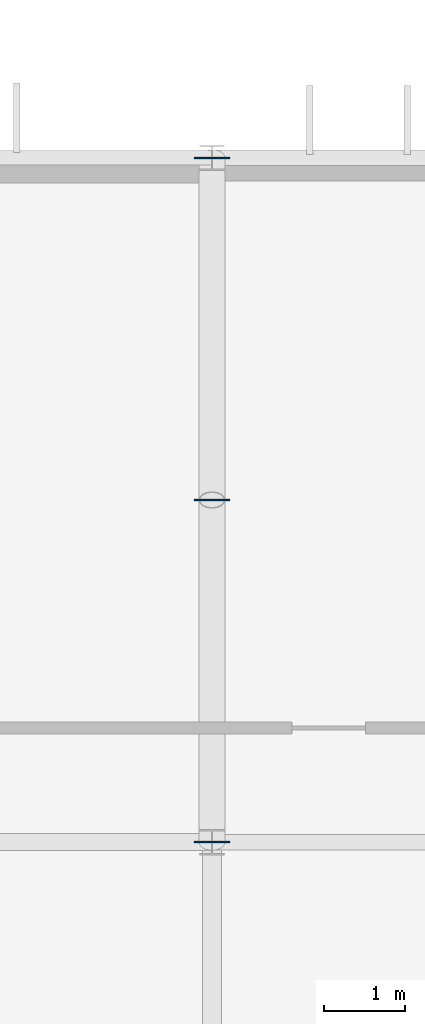
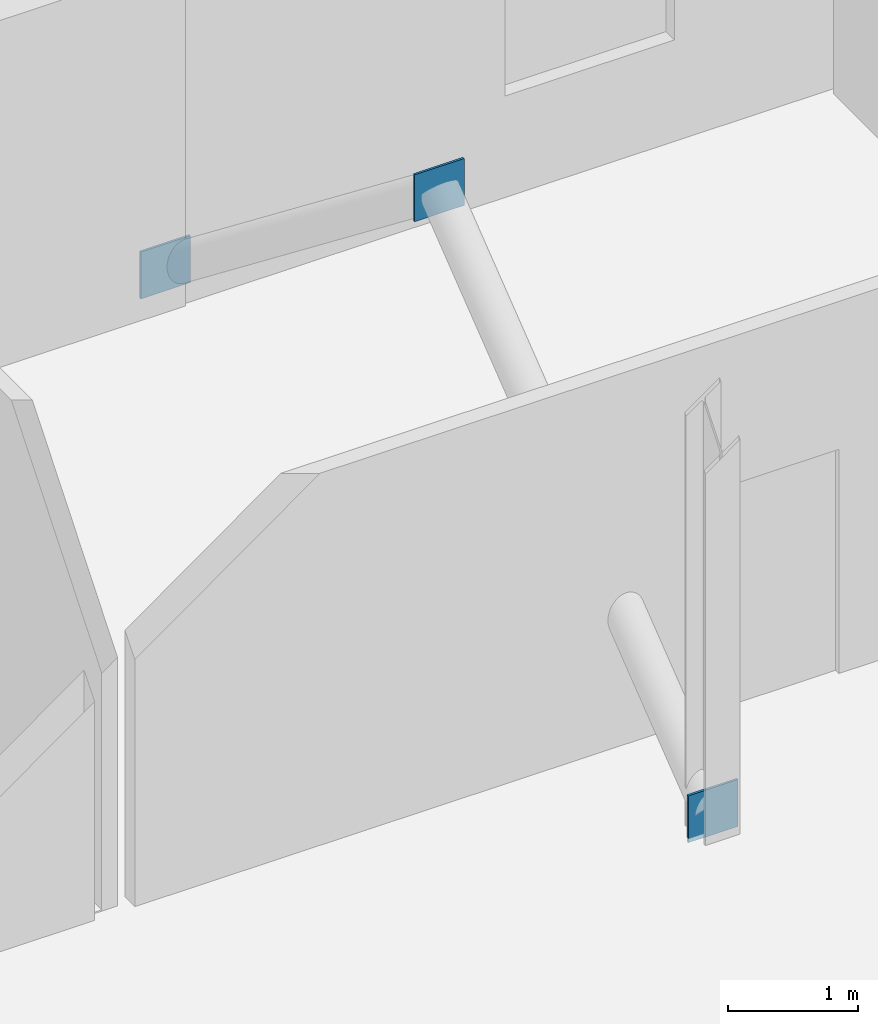
# One storey, part 90 of 119: 3 plates.
"""IFC4 building model written with IfcOpenShell, lengths in metres."""

from ifc_helpers import new_model, si_unit, direction, frame, origin, origin_2d, place, context, subcontext, project, spatial, rectangle, extrude, material, layer, layer_set, type_object, element, save


model = new_model("IFC4")

# Units and contexts
model_context = context("Model", 3, precision=1e-05, world=origin(), true_north=direction((0.0, 1.0)))
body_context = subcontext(model_context, "Body", "Model", "MODEL_VIEW")
ifc_project = project(units=[si_unit("LENGTHUNIT", "METRE"), si_unit("AREAUNIT", "SQUARE_METRE"), si_unit("VOLUMEUNIT", "CUBIC_METRE"), si_unit("PLANEANGLEUNIT", "RADIAN"), si_unit("MASSUNIT", "GRAM", prefix="KILO")], contexts=[model_context])

# Site, building, storey
site_placement = place(None, origin())
site = spatial("IfcSite", under=ifc_project, at=site_placement, CompositionType="ELEMENT")
building_placement = place(site_placement, origin())
building = spatial("IfcBuilding", under=site, at=building_placement, Name="Qelthora Terrace Specialist Clinic", CompositionType="ELEMENT")
storey_placement = place(building_placement, frame((0.0, 0.0, 4.800048828125)))
storey = spatial("IfcBuildingStorey", under=building, at=storey_placement, Name="L01", CompositionType="ELEMENT", Elevation=4.800048828125)

# Plates
ifc_material = material(Name="Steel S355", Category="steel")
ifc_layer = layer(ifc_material, 0.02001953125)
ifc_layer_set = layer_set([ifc_layer], Name="Steel S355")
plate_type = type_object("IfcPlateType", Name="PLT-GUS-480X480X20", PredefinedType="USERDEFINED", material=ifc_layer_set)
for number, where, z_axis, x_axis, name in (
    (1, (151.199951171875, 84.0, -0.0400390625), (0.0, 0.0, 1.0), (1.0, 0.0, 0.0), "Steel truss node plate GPLT-0170"),
    (2, (151.199951171875, 88.199951171875, 3.22998046875), (0.0, 0.0, 1.0), (1.0, 0.0, 0.0), "Steel truss node plate GPLT-0171"),
    (3, (151.199951171875, 92.39990234375, -0.0400390625), (0.0, 0.0, 1.0), (1.0, 0.0, 0.0), "Steel truss node plate GPLT-0172"),
):
    element("IfcPlate", number, at=place(storey_placement, frame(where, z_axis=z_axis, x_axis=x_axis)), inside=storey, type_object=plate_type, Name=name, ObjectType="GUSSET PLATE", PredefinedType="USERDEFINED", context=body_context, shape_type="SweptSolid", body=[
        extrude(rectangle(XDim=0.43994140625, YDim=0.02001953125, at=origin_2d()), origin(), (0.0, 0.0, 1.0), 0.43994140625),
    ])

save(model, "model.ifc")
